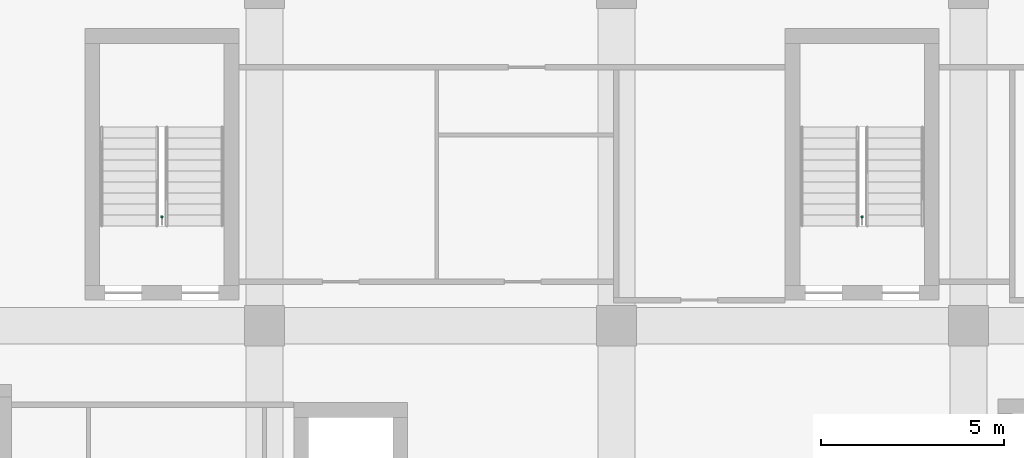
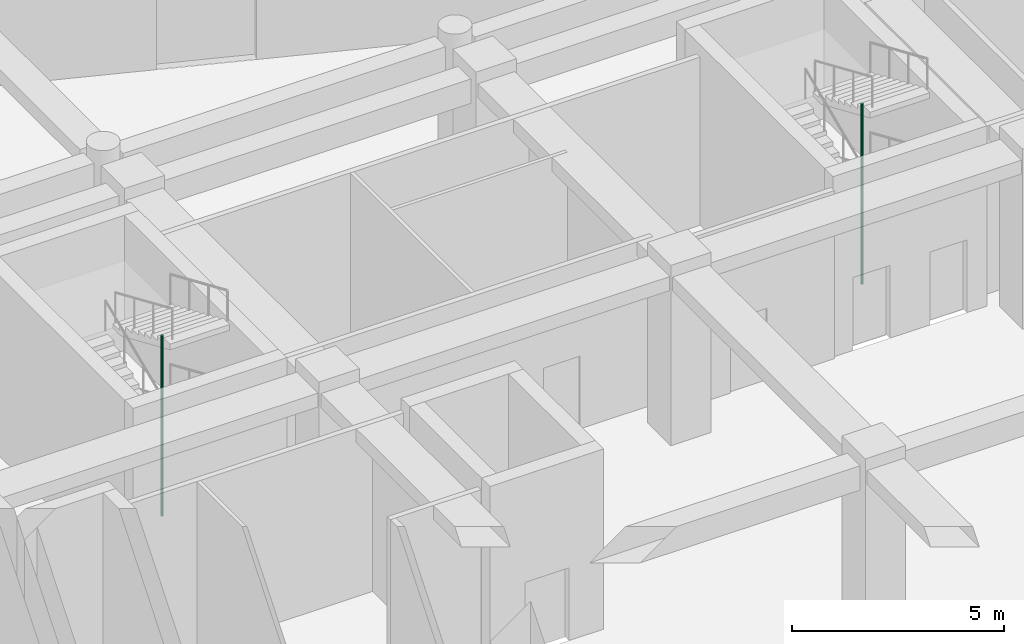
# One storey, part 21 of 31: 2 pipe segments.
"""IFC4 building model written with IfcOpenShell, lengths in metres."""

from ifc_helpers import new_model, si_unit, direction, frame, origin, origin_2d, place, context, subcontext, project, spatial, circle, extrude, element, save


model = new_model("IFC4")

# Units and contexts
model_context = context("Model", 3, precision=1e-05, world=origin(), true_north=direction((0.0, 1.0)))
body_context = subcontext(model_context, "Body", "Model", "MODEL_VIEW")
ifc_project = project(units=[si_unit("LENGTHUNIT", "METRE"), si_unit("AREAUNIT", "SQUARE_METRE"), si_unit("VOLUMEUNIT", "CUBIC_METRE"), si_unit("PLANEANGLEUNIT", "RADIAN"), si_unit("MASSUNIT", "GRAM", prefix="KILO")], contexts=[model_context])

# Site, building, storey
site_placement = place(None, origin())
site = spatial("IfcSite", under=ifc_project, at=site_placement, CompositionType="ELEMENT")
building_placement = place(site_placement, origin())
building = spatial("IfcBuilding", under=site, at=building_placement, Name="Nzadi Deep Aquarium and Research Tower", CompositionType="ELEMENT")
storey_placement = place(building_placement, frame((0.0, 0.0, 26.699951171875)))
storey = spatial("IfcBuildingStorey", under=building, at=storey_placement, Name="L04", CompositionType="ELEMENT", Elevation=26.699951171875)

# Pipe segments
for number, where, z_axis, x_axis, name in (
    (1, (6.800048828125, 39.77001953125, 0.0), (0.0, 0.0, 1.0), (1.0, 0.0, 0.0), "Dry riser ST-Z1-NW L04"),
    (2, (25.89990234375, 39.77001953125, 0.0), (0.0, 0.0, 1.0), (1.0, 0.0, 0.0), "Dry riser ST-Z1-NE L04"),
):
    element("IfcPipeSegment", number, at=place(storey_placement, frame(where, z_axis=z_axis, x_axis=x_axis)), inside=storey, Name=name, PredefinedType="RIGIDSEGMENT", context=body_context, shape_type="SweptSolid", body=[
        extrude(circle(Radius=0.034912109375, at=origin_2d()), origin(), (0.0, 0.0, 1.0), 5.199951171875),
    ])

save(model, "model.ifc")
